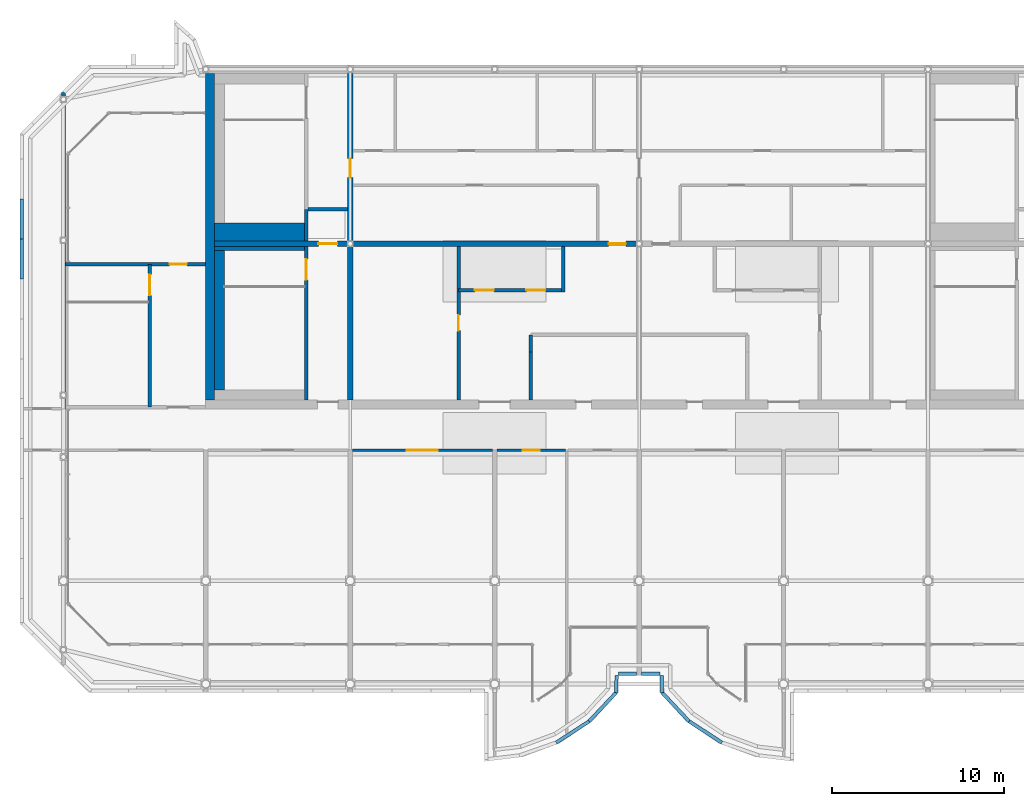
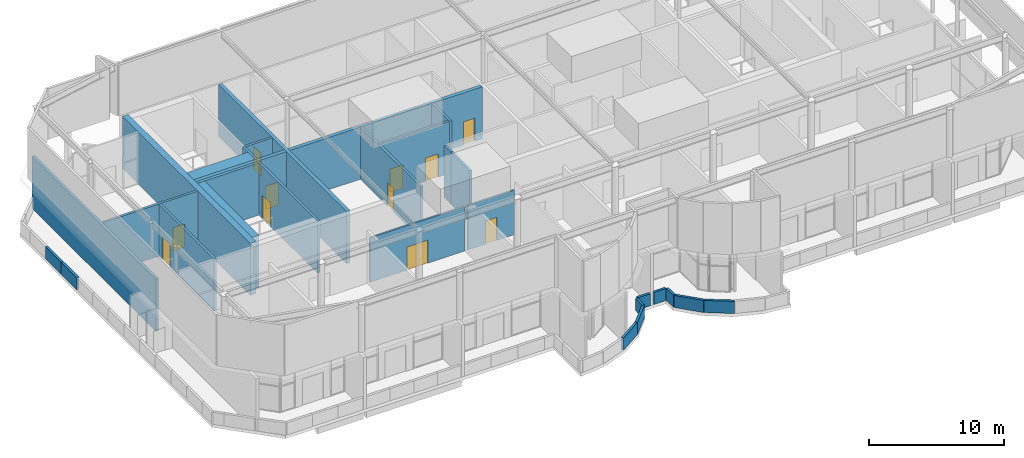
# One storey, part 19 of 25: 30 walls, 11 doors, 11 openings.
"""IFC4 building model written with IfcOpenShell, lengths in metres."""

from ifc_helpers import new_model, si_unit, direction, frame, frame_2d, origin, place, context, subcontext, project, spatial, rectangle, extrude, source, transform, mapped, material, layer, layer_set, type_object, element, fill, save


model = new_model("IFC4")

# Units and contexts
model_context = context("Model", 3, precision=1e-05, world=origin(), true_north=direction((0.0, 1.0)))
body_context = subcontext(model_context, "Body", "Model", "MODEL_VIEW")
ifc_project = project(units=[si_unit("LENGTHUNIT", "METRE"), si_unit("AREAUNIT", "SQUARE_METRE"), si_unit("VOLUMEUNIT", "CUBIC_METRE"), si_unit("PLANEANGLEUNIT", "RADIAN"), si_unit("MASSUNIT", "GRAM", prefix="KILO")], contexts=[model_context])

# Site, building, storey
site_placement = place(None, origin())
site = spatial("IfcSite", under=ifc_project, at=site_placement, CompositionType="ELEMENT")
building_placement = place(site_placement, origin())
building = spatial("IfcBuilding", under=site, at=building_placement, Name="Vanashikhar Sky Hotel", CompositionType="ELEMENT")
storey_placement = place(building_placement, frame((0.0, 0.0, 329.699951171875)))
storey = spatial("IfcBuildingStorey", under=building, at=storey_placement, Name="L78", CompositionType="ELEMENT", Elevation=329.699951171875)

# Wall
ifc_material_1 = material(Name="Concrete M50", Category="concrete")
ifc_layer_1 = layer(ifc_material_1, 0.5)
ifc_layer_set_1 = layer_set([ifc_layer_1], Name="RC core shell wall 500 Concrete M50")
wall_type_1 = type_object("IfcWallType", Name="RC core shell wall 500 Concrete M50", PredefinedType="SHEAR", material=ifc_layer_set_1)
shared_shape_1 = source(origin(), body_context, "Body", "SweptSolid", [
    extrude(rectangle(XDim=19.0, YDim=0.5, at=frame_2d((9.5, 0.0))), origin(), (0.0, 0.0, 1.0), 4.719970703125),
])
wall_1_placement = place(storey_placement, frame((25.449951171875, 22.5, 0.0), z_axis=(0.0, 0.0, 1.0), x_axis=(0.0, 1.0, 0.0)))
element("IfcWall", 1, at=wall_1_placement, inside=storey, type_object=wall_type_1, Name="KW-L78-KW", PredefinedType="SHEAR", context=body_context, shape_type="MappedRepresentation", body=[
    mapped(shared_shape_1, transform((0.0, 0.0, 0.0), scale=1.0)),
])

# Wall, opening, door
ifc_layer_2 = layer(ifc_material_1, 0.300048828125)
ifc_layer_set_2 = layer_set([ifc_layer_2], Name="RC core inner wall 300 Concrete M50")
wall_type_2 = type_object("IfcWallType", Name="RC core inner wall 300 Concrete M50", PredefinedType="SHEAR", material=ifc_layer_set_2)
shared_shape_2 = source(origin(), body_context, "Body", "SweptSolid", [
    extrude(rectangle(XDim=19.0, YDim=0.300048828125, at=frame_2d((9.5, 0.0))), origin(), (0.0, 0.0, 1.0), 4.719970703125),
])
wall_2_placement = place(storey_placement, frame((33.60009765625, 22.5, 0.0), z_axis=(0.0, 0.0, 1.0), x_axis=(0.0, 1.0, 0.0)))
wall_2 = element("IfcWall", 2, at=wall_2_placement, inside=storey, type_object=wall_type_2, Name="KW-L78-KX1", PredefinedType="SHEAR", context=body_context, shape_type="MappedRepresentation", body=[
    mapped(shared_shape_2, transform((0.0, 0.0, 0.0), scale=1.0)),
])
shared_shape_3 = source(origin(), body_context, "Body", "SweptSolid", [
    extrude(rectangle(XDim=1.10009765625, YDim=2.10009765625, at=frame_2d((0.550048828125, 1.050048828125))), frame((0.0, 0.16015625, 0.0), z_axis=(0.0, -1.0, 0.0), x_axis=(1.0, 0.0, 0.0)), (0.0, 0.0, 1.0), 0.320068359375),
])
opening_1_placement = place(wall_2_placement, frame((12.949951171875, 0.0, 0.0)))
opening_1 = element("IfcOpeningElement", 3, at=opening_1_placement, cuts=wall_2, Name="Opening DC-4-C", PredefinedType="OPENING", context=body_context, shape_type="MappedRepresentation", body=[
    mapped(shared_shape_3, transform((0.0, 0.0, 0.0), scale=1.0)),
])
ifc_material_2 = material(Name="Steel", Category="steel")
door_type_1 = type_object("IfcDoorType", Name="Service door 1100 FD60", OperationType="NOTDEFINED", PredefinedType="DOOR", material=ifc_material_2)
shared_shape_4 = source(origin(), body_context, "Body", "SweptSolid", [
    extrude(rectangle(XDim=1.10009765625, YDim=2.10009765625, at=frame_2d((0.550048828125, 1.050048828125))), frame((0.0, 0.02490234375, 0.0), z_axis=(0.0, -1.0, 0.0), x_axis=(1.0, 0.0, 0.0)), (0.0, 0.0, 1.0), 0.050048828125),
])
door_1_placement = place(opening_1_placement, origin())
door_1 = element("IfcDoor", 4, at=door_1_placement, inside=storey, type_object=door_type_1, Name="Service door 1100 FD60", OperationType="SINGLE_SWING_RIGHT", OverallHeight=2.10009765625, OverallWidth=1.10009765625, PredefinedType="DOOR", context=body_context, shape_type="MappedRepresentation", body=[
    mapped(shared_shape_4, transform((0.0, 0.0, 0.0), scale=1.0)),
])
fill(opening_1, door_1)

shared_shape_5 = source(origin(), body_context, "Body", "SweptSolid", [
    extrude(rectangle(XDim=7.75, YDim=0.300048828125, at=frame_2d((3.875, 0.0))), origin(), (0.0, 0.0, 1.0), 4.719970703125),
])
wall_3_placement = place(storey_placement, frame((25.699951171875, 31.60009765625, 0.0), z_axis=(0.0, 0.0, 1.0), x_axis=(1.0, 0.0, 0.0)))
wall_3 = element("IfcWall", 5, at=wall_3_placement, inside=storey, type_object=wall_type_2, Name="KW-L78-KY1", PredefinedType="SHEAR", context=body_context, shape_type="MappedRepresentation", body=[
    mapped(shared_shape_5, transform((0.0, 0.0, 0.0), scale=1.0)),
])
opening_2_placement = place(wall_3_placement, frame((6.050048828125, 0.0, 0.0)))
opening_2 = element("IfcOpeningElement", 6, at=opening_2_placement, cuts=wall_3, Name="Opening LD", PredefinedType="OPENING", context=body_context, shape_type="MappedRepresentation", body=[
    mapped(shared_shape_3, transform((0.0, 0.0, 0.0), scale=1.0)),
])
ifc_material_3 = material(Name="Stainless steel", Category="steel")
door_type_2 = type_object("IfcDoorType", Name="Lift landing door 1100", OperationType="NOTDEFINED", PredefinedType="DOOR", material=ifc_material_3)
door_2_placement = place(opening_2_placement, origin())
door_2 = element("IfcDoor", 7, at=door_2_placement, inside=storey, type_object=door_type_2, Name="Lift landing door 1100", OperationType="SLIDING_TO_LEFT", OverallHeight=2.10009765625, OverallWidth=1.10009765625, PredefinedType="DOOR", context=body_context, shape_type="MappedRepresentation", body=[
    mapped(shared_shape_4, transform((0.0, 0.0, 0.0), scale=1.0)),
])
fill(opening_2, door_2)

shared_shape_6 = source(origin(), body_context, "Body", "SweptSolid", [
    extrude(rectangle(XDim=16.5, YDim=0.300048828125, at=frame_2d((8.25, 0.0))), origin(), (0.0, 0.0, 1.0), 4.719970703125),
])
wall_4_placement = place(storey_placement, frame((33.75, 31.60009765625, 0.0), z_axis=(0.0, 0.0, 1.0), x_axis=(1.0, 0.0, 0.0)))
wall_4 = element("IfcWall", 8, at=wall_4_placement, inside=storey, type_object=wall_type_2, Name="KW-L78-KY2", PredefinedType="SHEAR", context=body_context, shape_type="MappedRepresentation", body=[
    mapped(shared_shape_6, transform((0.0, 0.0, 0.0), scale=1.0)),
])
shared_shape_7 = source(origin(), body_context, "Body", "SweptSolid", [
    extrude(rectangle(XDim=1.0, YDim=2.10009765625, at=frame_2d((0.5, 1.050048828125))), frame((0.0, 0.16015625, 0.0), z_axis=(0.0, -1.0, 0.0), x_axis=(1.0, 0.0, 0.0)), (0.0, 0.0, 1.0), 0.320068359375),
])
opening_3_placement = place(wall_4_placement, frame((14.875, 0.0, 0.0)))
opening_3 = element("IfcOpeningElement", 9, at=opening_3_placement, cuts=wall_4, Name="Opening DC-4", PredefinedType="OPENING", context=body_context, shape_type="MappedRepresentation", body=[
    mapped(shared_shape_7, transform((0.0, 0.0, 0.0), scale=1.0)),
])
door_type_3 = type_object("IfcDoorType", Name="Service door 1000 FD60", OperationType="NOTDEFINED", PredefinedType="DOOR", material=ifc_material_2)
shared_shape_8 = source(origin(), body_context, "Body", "SweptSolid", [
    extrude(rectangle(XDim=1.0, YDim=2.10009765625, at=frame_2d((0.5, 1.050048828125))), frame((0.0, 0.02490234375, 0.0), z_axis=(0.0, -1.0, 0.0), x_axis=(1.0, 0.0, 0.0)), (0.0, 0.0, 1.0), 0.050048828125),
])
door_3_placement = place(opening_3_placement, origin())
door_3 = element("IfcDoor", 10, at=door_3_placement, inside=storey, type_object=door_type_3, Name="Service door 1000 FD60", OperationType="SINGLE_SWING_LEFT", OverallHeight=2.10009765625, OverallWidth=1.0, PredefinedType="DOOR", context=body_context, shape_type="MappedRepresentation", body=[
    mapped(shared_shape_8, transform((0.0, 0.0, 0.0), scale=1.0)),
])
fill(opening_3, door_3)

# Walls
ifc_layer_3 = layer(ifc_material_1, 0.25)
ifc_layer_set_3 = layer_set([ifc_layer_3], Name="RC shear wall 250 Concrete M50")
wall_type_3 = type_object("IfcWallType", Name="RC shear wall 250 Concrete M50", PredefinedType="SHEAR", material=ifc_layer_set_3)
shared_shape_9 = source(origin(), body_context, "Body", "SweptSolid", [
    extrude(rectangle(XDim=18.39990234375, YDim=0.25, at=frame_2d((9.199951171875, 0.0))), origin(), (0.0, 0.0, 1.0), 4.719970703125),
])
wall_5_placement = place(storey_placement, frame((16.925048828125, 22.0, 0.0), z_axis=(0.0, 0.0, 1.0), x_axis=(0.0, 1.0, 0.0)))
element("IfcWall", 11, at=wall_5_placement, inside=storey, type_object=wall_type_3, Name="CW-L78-XW03-2", PredefinedType="SHEAR", context=body_context, shape_type="MappedRepresentation", body=[
    mapped(shared_shape_9, transform((0.0, 0.0, 0.0), scale=1.0)),
])
ifc_layer_4 = layer(ifc_material_1, 0.199951171875)
ifc_layer_set_4 = layer_set([ifc_layer_4], Name="Parapet 200")
wall_type_4 = type_object("IfcWallType", Name="Parapet 200", PredefinedType="PARAPET", material=ifc_layer_set_4)
shared_shape_10 = source(origin(), body_context, "Body", "SweptSolid", [
    extrude(rectangle(XDim=2.32421875, YDim=0.199951171875, at=frame_2d((1.162109375, 0.0))), origin(), (0.0, 0.0, 1.0), 1.10009765625),
])
wall_6_placement = place(storey_placement, frame((14.5, 31.885498046875, 0.0), z_axis=(0.0, 0.0, 1.0), x_axis=(0.0, 1.0, 0.0)))
element("IfcWall", 12, at=wall_6_placement, inside=storey, type_object=wall_type_4, Name="Lookout balustrade wall", PredefinedType="PARAPET", context=body_context, shape_type="MappedRepresentation", body=[
    mapped(shared_shape_10, transform((0.0, 0.0, 0.0), scale=1.0)),
])
shared_shape_11 = source(origin(), body_context, "Body", "SweptSolid", [
    extrude(rectangle(XDim=2.324462890625, YDim=0.199951171875, at=frame_2d((1.162109375, 0.0))), origin(), (0.0, 0.0, 1.0), 1.10009765625),
])
wall_7_placement = place(storey_placement, frame((14.5, 29.56103515625, 0.0), z_axis=(0.0, 0.0, 1.0), x_axis=(0.0, 1.0, 0.0)))
element("IfcWall", 13, at=wall_7_placement, inside=storey, type_object=wall_type_4, Name="Lookout balustrade wall", PredefinedType="PARAPET", context=body_context, shape_type="MappedRepresentation", body=[
    mapped(shared_shape_11, transform((0.0, 0.0, 0.0), scale=1.0)),
])
shared_shape_12 = source(origin(), body_context, "Body", "SweptSolid", [
    extrude(rectangle(XDim=1.058837890625, YDim=0.199951171875, at=frame_2d((0.529296875, 0.0))), origin(), (0.0, 0.0, 1.0), 1.10009765625),
])
wall_8_placement = place(storey_placement, frame((50.2548828125, 6.60009765625, 0.0), z_axis=(0.0, 0.0, 1.0), x_axis=(-1.0, 0.0, 0.0)))
element("IfcWall", 14, at=wall_8_placement, inside=storey, type_object=wall_type_4, Name="Lookout balustrade wall", PredefinedType="PARAPET", context=body_context, shape_type="MappedRepresentation", body=[
    mapped(shared_shape_12, transform((0.0, 0.0, 0.0), scale=1.0)),
])
shared_shape_13 = source(origin(), body_context, "Body", "SweptSolid", [
    extrude(rectangle(XDim=1.01416015625, YDim=0.199951171875, at=frame_2d((0.507080078125, 0.0))), origin(), (0.0, 0.0, 1.0), 1.10009765625),
])
for number, where, z_axis, x_axis, name in (
    (15, (49.09619140625, 6.50390625, 0.0), (0.0, 0.0, 1.0), (-0.039958425192, -0.999201343202, 0.0), "Lookout balustrade wall"),
    (16, (51.744384765625, 5.490478515625, 0.0), (0.0, 0.0, 1.0), (-0.039958425192, 0.999201343202, 0.0), "Lookout balustrade wall"),
):
    element("IfcWall", number, at=place(storey_placement, frame(where, z_axis=z_axis, x_axis=x_axis)), inside=storey, type_object=wall_type_4, Name=name, PredefinedType="PARAPET", context=body_context, shape_type="MappedRepresentation", body=[
        mapped(shared_shape_13, transform((0.0, 0.0, 0.0), scale=1.0)),
    ])
shared_shape_14 = source(origin(), body_context, "Body", "SweptSolid", [
    extrude(rectangle(XDim=2.2783203125, YDim=0.199951171875, at=frame_2d((1.13916015625, 0.0))), origin(), (0.0, 0.0, 1.0), 1.10009765625),
])
for number, where, z_axis, x_axis, name in (
    (17, (49.0556640625, 5.490478515625, 0.0), (0.0, 0.0, 1.0), (-0.685073837693, -0.728473635013, 0.0), "Lookout balustrade wall"),
    (18, (53.30517578125, 3.830810546875, 0.0), (0.0, 0.0, 1.0), (-0.685073837693, 0.728473635013, 0.0), "Lookout balustrade wall"),
):
    element("IfcWall", number, at=place(storey_placement, frame(where, z_axis=z_axis, x_axis=x_axis)), inside=storey, type_object=wall_type_4, Name=name, PredefinedType="PARAPET", context=body_context, shape_type="MappedRepresentation", body=[
        mapped(shared_shape_14, transform((0.0, 0.0, 0.0), scale=1.0)),
    ])
shared_shape_15 = source(origin(), body_context, "Body", "SweptSolid", [
    extrude(rectangle(XDim=2.27734375, YDim=0.199951171875, at=frame_2d((1.138671875, 0.0))), origin(), (0.0, 0.0, 1.0), 1.10009765625),
])
for number, where, z_axis, x_axis, name in (
    (19, (47.494873046875, 3.830810546875, 0.0), (0.0, 0.0, 1.0), (-0.838847508912, -0.544366472876, 0.0), "Lookout balustrade wall"),
    (20, (55.215576171875, 2.591064453125, 0.0), (0.0, 0.0, 1.0), (-0.838847508912, 0.544366472876, 0.0), "Lookout balustrade wall"),
):
    element("IfcWall", number, at=place(storey_placement, frame(where, z_axis=z_axis, x_axis=x_axis)), inside=storey, type_object=wall_type_4, Name=name, PredefinedType="PARAPET", context=body_context, shape_type="MappedRepresentation", body=[
        mapped(shared_shape_15, transform((0.0, 0.0, 0.0), scale=1.0)),
    ])
shared_shape_16 = source(origin(), body_context, "Body", "SweptSolid", [
    extrude(rectangle(XDim=1.05908203125, YDim=0.199951171875, at=frame_2d((0.529541015625, 0.0))), origin(), (0.0, 0.0, 1.0), 1.10009765625),
])
wall_9_placement = place(storey_placement, frame((51.60400390625, 6.60009765625, 0.0), z_axis=(0.0, 0.0, 1.0), x_axis=(-1.0, 0.0, 0.0)))
element("IfcWall", 21, at=wall_9_placement, inside=storey, type_object=wall_type_4, Name="Lookout balustrade wall", PredefinedType="PARAPET", context=body_context, shape_type="MappedRepresentation", body=[
    mapped(shared_shape_16, transform((0.0, 0.0, 0.0), scale=1.0)),
])

# Wall, openings, doors
ifc_material_4 = material(Name="Concrete M40", Category="concrete")
ifc_layer_5 = layer(ifc_material_4, 0.199951171875)
ifc_layer_set_5 = layer_set([ifc_layer_5], Name="Shaft wall 200")
wall_type_5 = type_object("IfcWallType", Name="Shaft wall 200", PredefinedType="SOLIDWALL", material=ifc_layer_set_5)
shared_shape_17 = source(origin(), body_context, "Body", "SweptSolid", [
    extrude(rectangle(XDim=6.0, YDim=0.199951171875, at=frame_2d((3.0, 0.0))), origin(), (0.0, 0.0, 1.0), 4.719970703125),
])
wall_10_placement = place(storey_placement, frame((39.89990234375, 28.89990234375, 0.0), z_axis=(0.0, 0.0, 1.0), x_axis=(1.0, 0.0, 0.0)))
wall_10 = element("IfcWall", 22, at=wall_10_placement, inside=storey, type_object=wall_type_5, Name="Shaft wall 200", PredefinedType="SOLIDWALL", context=body_context, shape_type="MappedRepresentation", body=[
    mapped(shared_shape_17, transform((0.0, 0.0, 0.0), scale=1.0)),
])
shared_shape_18 = source(origin(), body_context, "Body", "SweptSolid", [
    extrude(rectangle(XDim=1.10009765625, YDim=2.10009765625, at=frame_2d((0.550048828125, 1.050048828125))), frame((0.0, 0.10986328125, 0.0), z_axis=(0.0, -1.0, 0.0), x_axis=(1.0, 0.0, 0.0)), (0.0, 0.0, 1.0), 0.219970703125),
])
opening_4_placement = place(wall_10_placement, frame((0.949951171875, 0.0, 0.0)))
opening_4 = element("IfcOpeningElement", 23, at=opening_4_placement, cuts=wall_10, Name="Opening LD", PredefinedType="OPENING", context=body_context, shape_type="MappedRepresentation", body=[
    mapped(shared_shape_18, transform((0.0, 0.0, 0.0), scale=1.0)),
])
opening_5_placement = place(wall_10_placement, frame((3.949951171875, 0.0, 0.0)))
opening_5 = element("IfcOpeningElement", 24, at=opening_5_placement, cuts=wall_10, Name="Opening LD", PredefinedType="OPENING", context=body_context, shape_type="MappedRepresentation", body=[
    mapped(shared_shape_18, transform((0.0, 0.0, 0.0), scale=1.0)),
])
door_4_placement = place(opening_4_placement, origin())
door_4 = element("IfcDoor", 25, at=door_4_placement, inside=storey, type_object=door_type_2, Name="Lift landing door 1100", OperationType="SLIDING_TO_LEFT", OverallHeight=2.10009765625, OverallWidth=1.10009765625, PredefinedType="DOOR", context=body_context, shape_type="MappedRepresentation", body=[
    mapped(shared_shape_4, transform((0.0, 0.0, 0.0), scale=1.0)),
])
fill(opening_4, door_4)
door_5_placement = place(opening_5_placement, origin())
door_5 = element("IfcDoor", 26, at=door_5_placement, inside=storey, type_object=door_type_2, Name="Lift landing door 1100", OperationType="SLIDING_TO_RIGHT", OverallHeight=2.10009765625, OverallWidth=1.10009765625, PredefinedType="DOOR", context=body_context, shape_type="MappedRepresentation", body=[
    mapped(shared_shape_4, transform((0.0, 0.0, 0.0), scale=1.0)),
])
fill(opening_5, door_5)

# Wall, opening, door
ifc_layer_6 = layer(ifc_material_1, 0.199951171875)
ifc_layer_set_6 = layer_set([ifc_layer_6], Name="Stair wall 200")
wall_type_6 = type_object("IfcWallType", Name="Stair wall 200", PredefinedType="SOLIDWALL", material=ifc_layer_set_6)
shared_shape_19 = source(origin(), body_context, "Body", "SweptSolid", [
    extrude(rectangle(XDim=8.2998046875, YDim=0.199951171875, at=frame_2d((4.14990234375, 0.0))), origin(), (0.0, 0.0, 1.0), 4.719970703125),
])
wall_11_placement = place(storey_placement, frame((21.949951171875, 22.10009765625, 0.0), z_axis=(0.0, 0.0, 1.0), x_axis=(0.0, 1.0, 0.0)))
wall_11 = element("IfcWall", 27, at=wall_11_placement, inside=storey, type_object=wall_type_6, Name="Stair wall 200", PredefinedType="SOLIDWALL", context=body_context, shape_type="MappedRepresentation", body=[
    mapped(shared_shape_19, transform((0.0, 0.0, 0.0), scale=1.0)),
])
shared_shape_20 = source(origin(), body_context, "Body", "SweptSolid", [
    extrude(rectangle(XDim=1.199951171875, YDim=2.10009765625, at=frame_2d((0.60009765625, 1.050048828125))), frame((0.0, 0.10986328125, 0.0), z_axis=(0.0, -1.0, 0.0), x_axis=(1.0, 0.0, 0.0)), (0.0, 0.0, 1.0), 0.219970703125),
])
opening_6_placement = place(wall_11_placement, frame((6.5, 0.0, 0.0)))
opening_6 = element("IfcOpeningElement", 28, at=opening_6_placement, cuts=wall_11, Name="Opening DC-1", PredefinedType="OPENING", context=body_context, shape_type="MappedRepresentation", body=[
    mapped(shared_shape_20, transform((0.0, 0.0, 0.0), scale=1.0)),
])
door_type_4 = type_object("IfcDoorType", Name="Stair door 1200 FD120", OperationType="NOTDEFINED", PredefinedType="DOOR", material=ifc_material_2)
shared_shape_21 = source(origin(), body_context, "Body", "SweptSolid", [
    extrude(rectangle(XDim=1.199951171875, YDim=2.10009765625, at=frame_2d((0.60009765625, 1.050048828125))), frame((0.0, 0.02490234375, 0.0), z_axis=(0.0, -1.0, 0.0), x_axis=(1.0, 0.0, 0.0)), (0.0, 0.0, 1.0), 0.050048828125),
])
door_6_placement = place(opening_6_placement, origin())
door_6 = element("IfcDoor", 29, at=door_6_placement, inside=storey, type_object=door_type_4, Name="Stair door 1200 FD120", OperationType="SINGLE_SWING_RIGHT", OverallHeight=2.10009765625, OverallWidth=1.199951171875, PredefinedType="DOOR", context=body_context, shape_type="MappedRepresentation", body=[
    mapped(shared_shape_21, transform((0.0, 0.0, 0.0), scale=1.0)),
])
fill(opening_6, door_6)

ifc_material_5 = material(Name="Gypsum board partition")
ifc_layer_7 = layer(ifc_material_5, 0.14990234375)
ifc_layer_set_7 = layer_set([ifc_layer_7], Name="Service partition 150")
wall_type_7 = type_object("IfcWallType", Name="Service partition 150", PredefinedType="PARTITIONING", material=ifc_layer_set_7)
shared_shape_22 = source(origin(), body_context, "Body", "SweptSolid", [
    extrude(rectangle(XDim=8.949951171875, YDim=0.199951171875, at=frame_2d((4.47509765625, 0.0))), origin(), (0.0, 0.0, 1.0), 4.719970703125),
])
wall_12_placement = place(storey_placement, frame((39.89990234375, 22.5, 0.0), z_axis=(0.0, 0.0, 1.0), x_axis=(0.0, 1.0, 0.0)))
wall_12 = element("IfcWall", 30, at=wall_12_placement, inside=storey, type_object=wall_type_7, Name="Service partition 150", PredefinedType="PARTITIONING", context=body_context, shape_type="MappedRepresentation", body=[
    mapped(shared_shape_22, transform((0.0, 0.0, 0.0), scale=1.0)),
])
shared_shape_23 = source(origin(), body_context, "Body", "SweptSolid", [
    extrude(rectangle(XDim=0.89990234375, YDim=2.10009765625, at=frame_2d((0.449951171875, 1.050048828125))), frame((0.0, 0.10986328125, 0.0), z_axis=(0.0, -1.0, 0.0), x_axis=(1.0, 0.0, 0.0)), (0.0, 0.0, 1.0), 0.219970703125),
])
opening_7_placement = place(wall_12_placement, frame((4.050048828125, 0.0, 0.0)))
opening_7 = element("IfcOpeningElement", 31, at=opening_7_placement, cuts=wall_12, Name="Opening DC-4-A", PredefinedType="OPENING", context=body_context, shape_type="MappedRepresentation", body=[
    mapped(shared_shape_23, transform((0.0, 0.0, 0.0), scale=1.0)),
])
door_type_5 = type_object("IfcDoorType", Name="Service door 900 FD60", OperationType="NOTDEFINED", PredefinedType="DOOR", material=ifc_material_2)
shared_shape_24 = source(origin(), body_context, "Body", "SweptSolid", [
    extrude(rectangle(XDim=0.89990234375, YDim=2.10009765625, at=frame_2d((0.449951171875, 1.050048828125))), frame((0.0, 0.02490234375, 0.0), z_axis=(0.0, -1.0, 0.0), x_axis=(1.0, 0.0, 0.0)), (0.0, 0.0, 1.0), 0.050048828125),
])
door_7_placement = place(opening_7_placement, origin())
door_7 = element("IfcDoor", 32, at=door_7_placement, inside=storey, type_object=door_type_5, Name="Service door 900 FD60", OperationType="SINGLE_SWING_RIGHT", OverallHeight=2.10009765625, OverallWidth=0.89990234375, PredefinedType="DOOR", context=body_context, shape_type="MappedRepresentation", body=[
    mapped(shared_shape_24, transform((0.0, 0.0, 0.0), scale=1.0)),
])
fill(opening_7, door_7)

# Walls
shared_shape_25 = source(origin(), body_context, "Body", "SweptSolid", [
    extrude(rectangle(XDim=2.800048828125, YDim=0.199951171875, at=frame_2d((1.39990234375, 0.0))), origin(), (0.0, 0.0, 1.0), 4.719970703125),
])
wall_13_placement = place(storey_placement, frame((44.10009765625, 22.5, 0.0), z_axis=(0.0, 0.0, 1.0), x_axis=(0.0, 1.0, 0.0)))
element("IfcWall", 33, at=wall_13_placement, inside=storey, type_object=wall_type_7, Name="Service partition 150", PredefinedType="PARTITIONING", context=body_context, shape_type="MappedRepresentation", body=[
    mapped(shared_shape_25, transform((0.0, 0.0, 0.0), scale=1.0)),
])
shared_shape_26 = source(origin(), body_context, "Body", "SweptSolid", [
    extrude(rectangle(XDim=2.64990234375, YDim=0.199951171875, at=frame_2d((1.324951171875, 0.0))), origin(), (0.0, 0.0, 1.0), 4.719970703125),
])
wall_14_placement = place(storey_placement, frame((46.0, 28.800048828125, 0.0), z_axis=(0.0, 0.0, 1.0), x_axis=(0.0, 1.0, 0.0)))
element("IfcWall", 34, at=wall_14_placement, inside=storey, type_object=wall_type_5, Name="Shaft wall 200", PredefinedType="SOLIDWALL", context=body_context, shape_type="MappedRepresentation", body=[
    mapped(shared_shape_26, transform((0.0, 0.0, 0.0), scale=1.0)),
])
shared_shape_27 = source(origin(), body_context, "Body", "SweptSolid", [
    extrude(rectangle(XDim=1.0, YDim=0.199951171875, at=frame_2d((0.5, 0.0))), origin(), (0.0, 0.0, 1.0), 4.719970703125),
])
wall_15_placement = place(storey_placement, frame((44.10009765625, 25.300048828125, 0.0), z_axis=(0.0, 0.0, 1.0), x_axis=(0.0, 1.0, 0.0)))
element("IfcWall", 35, at=wall_15_placement, inside=storey, type_object=wall_type_7, Name="Service partition 150", PredefinedType="PARTITIONING", context=body_context, shape_type="MappedRepresentation", body=[
    mapped(shared_shape_27, transform((0.0, 0.0, 0.0), scale=1.0)),
])

# Wall, opening, door
shared_shape_28 = source(origin(), body_context, "Body", "SweptSolid", [
    extrude(rectangle(XDim=8.949951171875, YDim=0.199951171875, at=frame_2d((4.47509765625, 0.0))), origin(), (0.0, 0.0, 1.0), 4.719970703125),
])
wall_16_placement = place(storey_placement, frame((31.050048828125, 22.5, 0.0), z_axis=(0.0, 0.0, 1.0), x_axis=(0.0, 1.0, 0.0)))
wall_16 = element("IfcWall", 36, at=wall_16_placement, inside=storey, type_object=wall_type_6, Name="Stair wall 200", PredefinedType="SOLIDWALL", context=body_context, shape_type="MappedRepresentation", body=[
    mapped(shared_shape_28, transform((0.0, 0.0, 0.0), scale=1.0)),
])
opening_8_placement = place(wall_16_placement, frame((7.0, 0.0, 0.0)))
opening_8 = element("IfcOpeningElement", 37, at=opening_8_placement, cuts=wall_16, Name="Opening DC-1", PredefinedType="OPENING", context=body_context, shape_type="MappedRepresentation", body=[
    mapped(shared_shape_20, transform((0.0, 0.0, 0.0), scale=1.0)),
])
door_8_placement = place(opening_8_placement, origin())
door_8 = element("IfcDoor", 38, at=door_8_placement, inside=storey, type_object=door_type_4, Name="Stair door 1200 FD120", OperationType="SINGLE_SWING_RIGHT", OverallHeight=2.10009765625, OverallWidth=1.199951171875, PredefinedType="DOOR", context=body_context, shape_type="MappedRepresentation", body=[
    mapped(shared_shape_21, transform((0.0, 0.0, 0.0), scale=1.0)),
])
fill(opening_8, door_8)

# Walls
shared_shape_29 = source(origin(), body_context, "Body", "SweptSolid", [
    extrude(rectangle(XDim=1.85009765625, YDim=0.199951171875, at=frame_2d((0.925048828125, 0.0))), origin(), (0.0, 0.0, 1.0), 4.719970703125),
])
wall_17_placement = place(storey_placement, frame((31.050048828125, 31.75, 0.0), z_axis=(0.0, 0.0, 1.0), x_axis=(0.0, 1.0, 0.0)))
element("IfcWall", 39, at=wall_17_placement, inside=storey, type_object=wall_type_5, Name="Shaft wall 200", PredefinedType="SOLIDWALL", context=body_context, shape_type="MappedRepresentation", body=[
    mapped(shared_shape_29, transform((0.0, 0.0, 0.0), scale=1.0)),
])
shared_shape_30 = source(origin(), body_context, "Body", "SweptSolid", [
    extrude(rectangle(XDim=2.300048828125, YDim=0.199951171875, at=frame_2d((1.14990234375, 0.0))), origin(), (0.0, 0.0, 1.0), 4.719970703125),
])
wall_18_placement = place(storey_placement, frame((31.14990234375, 33.60009765625, 0.0), z_axis=(0.0, 0.0, 1.0), x_axis=(1.0, 0.0, 0.0)))
element("IfcWall", 40, at=wall_18_placement, inside=storey, type_object=wall_type_5, Name="Shaft wall 200", PredefinedType="SOLIDWALL", context=body_context, shape_type="MappedRepresentation", body=[
    mapped(shared_shape_30, transform((0.0, 0.0, 0.0), scale=1.0)),
])

# Wall, opening, door
shared_shape_31 = source(origin(), body_context, "Body", "SweptSolid", [
    extrude(rectangle(XDim=8.14990234375, YDim=0.199951171875, at=frame_2d((4.074951171875, 0.0))), origin(), (0.0, 0.0, 1.0), 4.719970703125),
])
wall_19_placement = place(storey_placement, frame((17.050048828125, 30.39990234375, 0.0), z_axis=(0.0, 0.0, 1.0), x_axis=(1.0, 0.0, 0.0)))
wall_19 = element("IfcWall", 41, at=wall_19_placement, inside=storey, type_object=wall_type_6, Name="Stair wall 200", PredefinedType="SOLIDWALL", context=body_context, shape_type="MappedRepresentation", body=[
    mapped(shared_shape_31, transform((0.0, 0.0, 0.0), scale=1.0)),
])
shared_shape_32 = source(origin(), body_context, "Body", "SweptSolid", [
    extrude(rectangle(XDim=1.0, YDim=2.10009765625, at=frame_2d((0.5, 1.050048828125))), frame((0.0, 0.10986328125, 0.0), z_axis=(0.0, -1.0, 0.0), x_axis=(1.0, 0.0, 0.0)), (0.0, 0.0, 1.0), 0.219970703125),
])
opening_9_placement = place(wall_19_placement, frame((6.050048828125, 0.0, 0.0)))
opening_9 = element("IfcOpeningElement", 42, at=opening_9_placement, cuts=wall_19, Name="Opening DC-6", PredefinedType="OPENING", context=body_context, shape_type="MappedRepresentation", body=[
    mapped(shared_shape_32, transform((0.0, 0.0, 0.0), scale=1.0)),
])
door_type_6 = type_object("IfcDoorType", Name="Pocket door 1000 FD60", OperationType="NOTDEFINED", PredefinedType="DOOR", material=ifc_material_2)
door_9_placement = place(opening_9_placement, origin())
door_9 = element("IfcDoor", 43, at=door_9_placement, inside=storey, type_object=door_type_6, Name="Pocket door 1000 FD60", OperationType="SINGLE_SWING_RIGHT", OverallHeight=2.10009765625, OverallWidth=1.0, PredefinedType="DOOR", context=body_context, shape_type="MappedRepresentation", body=[
    mapped(shared_shape_8, transform((0.0, 0.0, 0.0), scale=1.0)),
])
fill(opening_9, door_9)

# Walls
ifc_layer_8 = layer(ifc_material_1, 0.25)
ifc_layer_set_8 = layer_set([ifc_layer_8], Name="Stair infill wall 250")
wall_type_8 = type_object("IfcWallType", Name="Stair infill wall 250", PredefinedType="SOLIDWALL", material=ifc_layer_set_8)
shared_shape_33 = source(origin(), body_context, "Body", "SweptSolid", [
    extrude(rectangle(XDim=5.25, YDim=0.25, at=frame_2d((2.625, 0.0))), origin(), (0.0, 0.0, 1.0), 4.719970703125),
])
wall_20_placement = place(storey_placement, frame((25.699951171875, 31.324951171875, 0.0), z_axis=(0.0, 0.0, 1.0), x_axis=(1.0, 0.0, 0.0)))
element("IfcWall", 44, at=wall_20_placement, inside=storey, type_object=wall_type_8, Name="Stair infill wall 250", PredefinedType="SOLIDWALL", context=body_context, shape_type="MappedRepresentation", body=[
    mapped(shared_shape_33, transform((0.0, 0.0, 0.0), scale=1.0)),
])
ifc_layer_9 = layer(ifc_material_1, 0.60009765625)
ifc_layer_set_9 = layer_set([ifc_layer_9], Name="Stair infill wall 600")
wall_type_9 = type_object("IfcWallType", Name="Stair infill wall 600", PredefinedType="SOLIDWALL", material=ifc_layer_set_9)
shared_shape_34 = source(origin(), body_context, "Body", "SweptSolid", [
    extrude(rectangle(XDim=8.099853515625, YDim=0.60009765625, at=frame_2d((4.0498046875, 0.0))), origin(), (0.0, 0.0, 1.0), 4.719970703125),
])
wall_21_placement = place(storey_placement, frame((26.0, 23.10009765625, 0.0), z_axis=(0.0, 0.0, 1.0), x_axis=(0.0, 1.0, 0.0)))
element("IfcWall", 45, at=wall_21_placement, inside=storey, type_object=wall_type_9, Name="Stair infill wall 600", PredefinedType="SOLIDWALL", context=body_context, shape_type="MappedRepresentation", body=[
    mapped(shared_shape_34, transform((0.0, 0.0, 0.0), scale=1.0)),
])
ifc_layer_10 = layer(ifc_material_1, 1.050048828125)
ifc_layer_set_10 = layer_set([ifc_layer_10], Name="Stair infill wall 1050")
wall_type_10 = type_object("IfcWallType", Name="Stair infill wall 1050", PredefinedType="SOLIDWALL", material=ifc_layer_set_10)
shared_shape_35 = source(origin(), body_context, "Body", "SweptSolid", [
    extrude(rectangle(XDim=5.25, YDim=1.050048828125, at=frame_2d((2.625, 0.0))), origin(), (0.0, 0.0, 1.0), 4.719970703125),
])
wall_22_placement = place(storey_placement, frame((25.699951171875, 32.27490234375, 0.0), z_axis=(0.0, 0.0, 1.0), x_axis=(1.0, 0.0, 0.0)))
element("IfcWall", 46, at=wall_22_placement, inside=storey, type_object=wall_type_10, Name="Stair infill wall 1050", PredefinedType="SOLIDWALL", context=body_context, shape_type="MappedRepresentation", body=[
    mapped(shared_shape_35, transform((0.0, 0.0, 0.0), scale=1.0)),
])

# Wall, opening, door
ifc_material_6 = material(Name="Gypsum plasterboard partition")
ifc_layer_11 = layer(ifc_material_6, 0.14990234375)
ifc_layer_set_11 = layer_set([ifc_layer_11], Name="Corridor and demising partition 150")
wall_type_11 = type_object("IfcWallType", Name="Corridor and demising partition 150", PredefinedType="PARTITIONING", material=ifc_layer_set_11)
shared_shape_36 = source(origin(), body_context, "Body", "SweptSolid", [
    extrude(rectangle(XDim=8.14990234375, YDim=0.14990234375, at=frame_2d((4.074951171875, 0.0))), origin(), (0.0, 0.0, 1.0), 4.02001953125),
])
wall_23_placement = place(storey_placement, frame((33.72509765625, 19.60009765625, 0.0), z_axis=(0.0, 0.0, 1.0), x_axis=(1.0, 0.0, 0.0)))
wall_23 = element("IfcWall", 47, at=wall_23_placement, inside=storey, type_object=wall_type_11, Name="W-L78-PW003", PredefinedType="PARTITIONING", context=body_context, shape_type="MappedRepresentation", body=[
    mapped(shared_shape_36, transform((0.0, 0.0, 0.0), scale=1.0)),
])
shared_shape_37 = source(origin(), body_context, "Body", "SweptSolid", [
    extrude(rectangle(XDim=1.800048828125, YDim=2.10009765625, at=frame_2d((0.89990234375, 1.050048828125))), frame((0.0, 0.0849609375, 0.0), z_axis=(0.0, -1.0, 0.0), x_axis=(1.0, 0.0, 0.0)), (0.0, 0.0, 1.0), 0.169921875),
])
opening_10_placement = place(wall_23_placement, frame((3.175048828125, 0.0, 0.0)))
opening_10 = element("IfcOpeningElement", 48, at=opening_10_placement, cuts=wall_23, Name="Opening D-03", PredefinedType="OPENING", context=body_context, shape_type="MappedRepresentation", body=[
    mapped(shared_shape_37, transform((0.0, 0.0, 0.0), scale=1.0)),
])
ifc_material_7 = material(Name="Timber fire door", Category="wood")
door_type_7 = type_object("IfcDoorType", Name="Double leaf door 1800 FD30S", OperationType="NOTDEFINED", PredefinedType="DOOR", material=ifc_material_7)
shared_shape_38 = source(origin(), body_context, "Body", "SweptSolid", [
    extrude(rectangle(XDim=1.800048828125, YDim=2.10009765625, at=frame_2d((0.89990234375, 1.050048828125))), frame((0.0, 0.02490234375, 0.0), z_axis=(0.0, -1.0, 0.0), x_axis=(1.0, 0.0, 0.0)), (0.0, 0.0, 1.0), 0.050048828125),
])
door_10_placement = place(opening_10_placement, origin())
door_10 = element("IfcDoor", 49, at=door_10_placement, inside=storey, type_object=door_type_7, Name="D-L78-003", OperationType="DOUBLE_DOOR_SINGLE_SWING", OverallHeight=2.10009765625, OverallWidth=1.800048828125, PredefinedType="DOOR", context=body_context, shape_type="MappedRepresentation", body=[
    mapped(shared_shape_38, transform((0.0, 0.0, 0.0), scale=1.0)),
])
fill(opening_10, door_10)

shared_shape_39 = source(origin(), body_context, "Body", "SweptSolid", [
    extrude(rectangle(XDim=4.0, YDim=0.14990234375, at=frame_2d((2.0, 0.0))), origin(), (0.0, 0.0, 1.0), 4.02001953125),
])
wall_24_placement = place(storey_placement, frame((42.125, 19.60009765625, 0.0), z_axis=(0.0, 0.0, 1.0), x_axis=(1.0, 0.0, 0.0)))
wall_24 = element("IfcWall", 50, at=wall_24_placement, inside=storey, type_object=wall_type_11, Name="W-L78-PW004", PredefinedType="PARTITIONING", context=body_context, shape_type="MappedRepresentation", body=[
    mapped(shared_shape_39, transform((0.0, 0.0, 0.0), scale=1.0)),
])
shared_shape_40 = source(origin(), body_context, "Body", "SweptSolid", [
    extrude(rectangle(XDim=1.0, YDim=2.10009765625, at=frame_2d((0.5, 1.050048828125))), frame((0.0, 0.0849609375, 0.0), z_axis=(0.0, -1.0, 0.0), x_axis=(1.0, 0.0, 0.0)), (0.0, 0.0, 1.0), 0.169921875),
])
opening_11_placement = place(wall_24_placement, frame((1.5, 0.0, 0.0)))
opening_11 = element("IfcOpeningElement", 51, at=opening_11_placement, cuts=wall_24, Name="Opening D-01", PredefinedType="OPENING", context=body_context, shape_type="MappedRepresentation", body=[
    mapped(shared_shape_40, transform((0.0, 0.0, 0.0), scale=1.0)),
])
door_type_8 = type_object("IfcDoorType", Name="Guest entry door 1000 FD30S", OperationType="NOTDEFINED", PredefinedType="DOOR", material=ifc_material_7)
door_11_placement = place(opening_11_placement, origin())
door_11 = element("IfcDoor", 52, at=door_11_placement, inside=storey, type_object=door_type_8, Name="D-L78-004", OperationType="SINGLE_SWING_LEFT", OverallHeight=2.10009765625, OverallWidth=1.0, PredefinedType="DOOR", context=body_context, shape_type="MappedRepresentation", body=[
    mapped(shared_shape_8, transform((0.0, 0.0, 0.0), scale=1.0)),
])
fill(opening_11, door_11)

save(model, "model.ifc")
